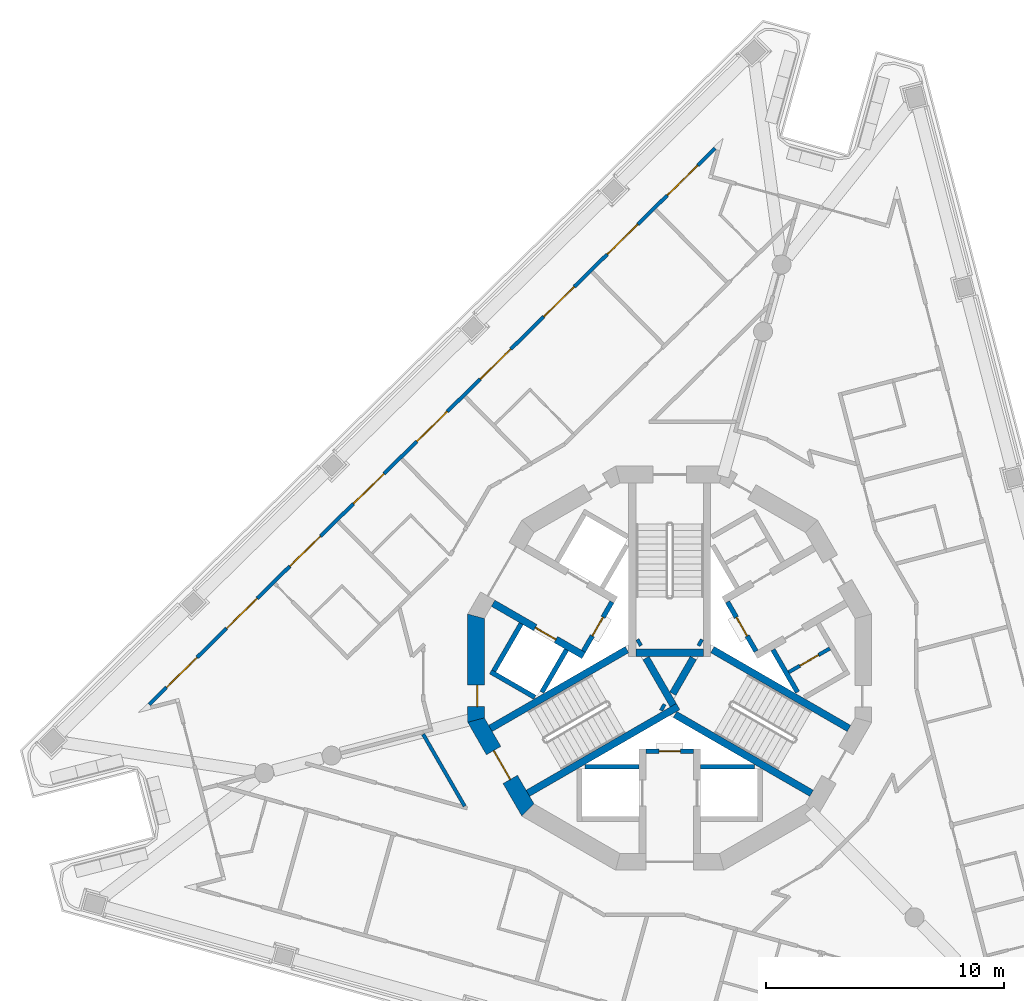
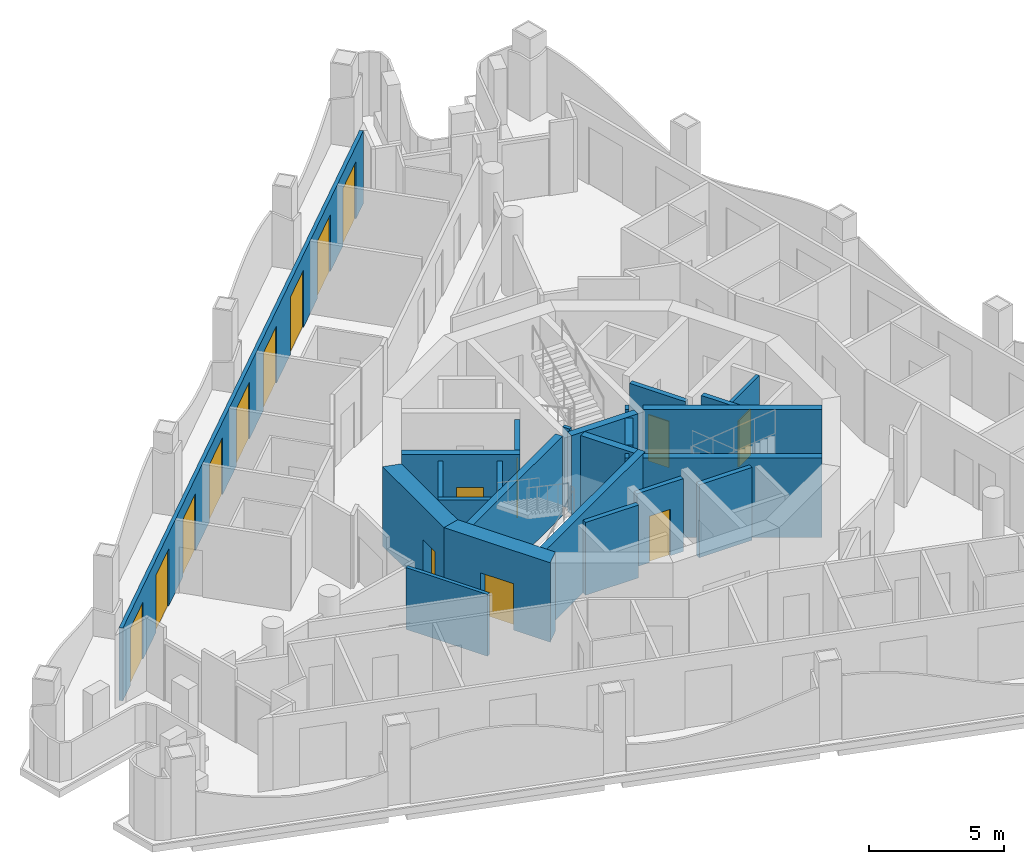
# One storey, part 4 of 14: 25 walls, 16 doors, 16 openings.
"""IFC4 building model written with IfcOpenShell, lengths in metres."""

from ifc_helpers import new_model, si_unit, direction, frame, frame_2d, origin, place, context, subcontext, project, spatial, polyline, rectangle, outline, extrude, material, layer, layer_set, type_object, element, fill, save


model = new_model("IFC4")

# Units and contexts
model_context = context("Model", 3, precision=1e-05, world=origin(), true_north=direction((0.0, 1.0)))
body_context = subcontext(model_context, "Body", "Model", "MODEL_VIEW")
ifc_project = project(units=[si_unit("LENGTHUNIT", "METRE"), si_unit("AREAUNIT", "SQUARE_METRE"), si_unit("VOLUMEUNIT", "CUBIC_METRE"), si_unit("PLANEANGLEUNIT", "RADIAN"), si_unit("MASSUNIT", "GRAM", prefix="KILO")], contexts=[model_context])

# Site, building, storey
site_placement = place(None, origin())
site = spatial("IfcSite", under=ifc_project, at=site_placement, CompositionType="ELEMENT")
building_placement = place(site_placement, origin())
building = spatial("IfcBuilding", under=site, at=building_placement, Name="Trine Commons Tower", CompositionType="ELEMENT")
storey_placement = place(building_placement, frame((0.0, 0.0, 249.300048828125)))
storey = spatial("IfcBuildingStorey", under=building, at=storey_placement, Name="L65", CompositionType="ELEMENT", Elevation=249.300048828125)

# Wall, opening, door
ifc_material_1 = material(Name="Plasterboard partition on steel studs", Category="steel")
ifc_layer_1 = layer(ifc_material_1, 0.14990234375)
ifc_layer_set_1 = layer_set([ifc_layer_1], Name="Plasterboard partition on steel studs")
wall_type_1 = type_object("IfcWallType", Name="Core room partition 150 mm, EI 60", PredefinedType="PARTITIONING", material=ifc_layer_set_1)
wall_1_placement = place(storey_placement, frame((85.006103515625, 62.330078125, 0.0), z_axis=(0.0, 0.0, 1.0), x_axis=(0.866010750942, 0.50002537861, 0.0)))
wall_1 = element("IfcWall", 1, at=wall_1_placement, inside=storey, type_object=wall_type_1, Name="Core room partition L65", PredefinedType="PARTITIONING", context=body_context, shape_type="SweptSolid", body=[
    extrude(rectangle(XDim=2.0, YDim=0.14990234375, at=frame_2d((1.0, 0.0))), origin(), (0.0, 0.0, 1.0), 3.300048828125),
])
opening_1_placement = place(wall_1_placement, frame((0.549560546875, 0.0, 0.0)))
opening_1 = element("IfcOpeningElement", 2, at=opening_1_placement, cuts=wall_1, Name="Opening K15.13", PredefinedType="OPENING", context=body_context, shape_type="SweptSolid", body=[
    extrude(rectangle(XDim=0.89990234375, YDim=2.10009765625, at=frame_2d((0.449951171875, 1.050048828125))), frame((0.0, 0.0849609375, 0.0), z_axis=(0.0, -1.0, 0.0), x_axis=(1.0, 0.0, 0.0)), (0.0, 0.0, 1.0), 0.169921875),
])
ifc_material_2 = material(Name="Steel door leaf, fire-rated", Category="steel")
door_type_1 = type_object("IfcDoorType", Name="Core room door, single leaf 900 x 2100, FD30S", OperationType="SINGLE_SWING_LEFT", PredefinedType="DOOR", material=ifc_material_2)
door_1_placement = place(opening_1_placement, frame((0.89990234375, 0.0, 0.0), z_axis=(0.0, 0.0, 1.0), x_axis=(-1.0, 0.0, 0.0)))
door_1 = element("IfcDoor", 3, at=door_1_placement, inside=storey, type_object=door_type_1, Name="Door to Print room L65", OperationType="SINGLE_SWING_LEFT", OverallHeight=2.10009765625, OverallWidth=0.89990234375, PredefinedType="DOOR", context=body_context, shape_type="SweptSolid", body=[
    extrude(rectangle(XDim=0.89990234375, YDim=2.10009765625, at=frame_2d((0.449951171875, 1.050048828125))), frame((0.0, 0.02490234375, 0.0), z_axis=(0.0, -1.0, 0.0), x_axis=(1.0, 0.0, 0.0)), (0.0, 0.0, 1.0), 0.050048828125),
])
fill(opening_1, door_1)

# Wall, openings, doors
ifc_material_3 = material(Name="Aluminium-framed insulated wall panel", Category="aluminium")
ifc_layer_2 = layer(ifc_material_3, 0.14990234375)
ifc_layer_set_2 = layer_set([ifc_layer_2], Name="Aluminium-framed insulated wall panel")
wall_type_2 = type_object("IfcWallType", Name="Glazed frame wall 150, EI 60", PredefinedType="SOLIDWALL", material=ifc_layer_set_2)
wall_2_placement = place(storey_placement, frame((57.98974609375, 60.867431640625, 0.0), z_axis=(0.0, 0.0, 1.0), x_axis=(0.713254682671, 0.700904956216, 0.0)))
wall_2 = element("IfcWall", 4, at=wall_2_placement, inside=storey, type_object=wall_type_2, Name="Glazed frame wall F1", PredefinedType="SOLIDWALL", context=body_context, shape_type="SweptSolid", body=[
    extrude(outline(polyline([(0.1494140625, 0.074951171875), (0.1494140625, -0.074951171875), (33.536865234375, -0.074951171875), (33.536865234375, 0.074951171875), (0.1494140625, 0.074951171875)])), origin(), (0.0, 0.0, 1.0), 3.300048828125),
])
opening_2_placement = place(wall_2_placement, frame((1.17138671875, 0.0, 0.0)))
opening_2 = element("IfcOpeningElement", 5, at=opening_2_placement, cuts=wall_2, Name="Opening BD-7F1-01", PredefinedType="OPENING", context=body_context, shape_type="SweptSolid", body=[
    extrude(rectangle(XDim=1.800048828125, YDim=2.60009765625, at=frame_2d((0.89990234375, 1.300048828125))), frame((0.0, 0.0849609375, 0.0), z_axis=(0.0, -1.0, 0.0), x_axis=(1.0, 0.0, 0.0)), (0.0, 0.0, 1.0), 0.169921875),
])
opening_3_placement = place(wall_2_placement, frame((4.71435546875, 0.0, 0.0)))
opening_3 = element("IfcOpeningElement", 6, at=opening_3_placement, cuts=wall_2, Name="Opening BD-7F1-02", PredefinedType="OPENING", context=body_context, shape_type="SweptSolid", body=[
    extrude(rectangle(XDim=1.800048828125, YDim=2.60009765625, at=frame_2d((0.89990234375, 1.300048828125))), frame((0.0, 0.0849609375, 0.0), z_axis=(0.0, -1.0, 0.0), x_axis=(1.0, 0.0, 0.0)), (0.0, 0.0, 1.0), 0.169921875),
])
opening_4_placement = place(wall_2_placement, frame((8.457275390625, 0.0, 0.0)))
opening_4 = element("IfcOpeningElement", 7, at=opening_4_placement, cuts=wall_2, Name="Opening BD-7F1-03", PredefinedType="OPENING", context=body_context, shape_type="SweptSolid", body=[
    extrude(rectangle(XDim=1.800048828125, YDim=2.60009765625, at=frame_2d((0.89990234375, 1.300048828125))), frame((0.0, 0.0849609375, 0.0), z_axis=(0.0, -1.0, 0.0), x_axis=(1.0, 0.0, 0.0)), (0.0, 0.0, 1.0), 0.169921875),
])
opening_5_placement = place(wall_2_placement, frame((12.2001953125, 0.0, 0.0)))
opening_5 = element("IfcOpeningElement", 8, at=opening_5_placement, cuts=wall_2, Name="Opening BD-7F1-04", PredefinedType="OPENING", context=body_context, shape_type="SweptSolid", body=[
    extrude(rectangle(XDim=1.800048828125, YDim=2.60009765625, at=frame_2d((0.89990234375, 1.300048828125))), frame((0.0, 0.0849609375, 0.0), z_axis=(0.0, -1.0, 0.0), x_axis=(1.0, 0.0, 0.0)), (0.0, 0.0, 1.0), 0.169921875),
])
opening_6_placement = place(wall_2_placement, frame((15.943115234375, 0.0, 0.0)))
opening_6 = element("IfcOpeningElement", 9, at=opening_6_placement, cuts=wall_2, Name="Opening BD-7F1-05", PredefinedType="OPENING", context=body_context, shape_type="SweptSolid", body=[
    extrude(rectangle(XDim=1.800048828125, YDim=2.60009765625, at=frame_2d((0.89990234375, 1.300048828125))), frame((0.0, 0.0849609375, 0.0), z_axis=(0.0, -1.0, 0.0), x_axis=(1.0, 0.0, 0.0)), (0.0, 0.0, 1.0), 0.169921875),
])
opening_7_placement = place(wall_2_placement, frame((19.68603515625, 0.0, 0.0)))
opening_7 = element("IfcOpeningElement", 10, at=opening_7_placement, cuts=wall_2, Name="Opening BD-7F1-06", PredefinedType="OPENING", context=body_context, shape_type="SweptSolid", body=[
    extrude(rectangle(XDim=1.800048828125, YDim=2.60009765625, at=frame_2d((0.89990234375, 1.300048828125))), frame((0.0, 0.0849609375, 0.0), z_axis=(0.0, -1.0, 0.0), x_axis=(1.0, 0.0, 0.0)), (0.0, 0.0, 1.0), 0.169921875),
])
opening_8_placement = place(wall_2_placement, frame((23.428955078125, 0.0, 0.0)))
opening_8 = element("IfcOpeningElement", 11, at=opening_8_placement, cuts=wall_2, Name="Opening BD-7F1-07", PredefinedType="OPENING", context=body_context, shape_type="SweptSolid", body=[
    extrude(rectangle(XDim=1.800048828125, YDim=2.60009765625, at=frame_2d((0.89990234375, 1.300048828125))), frame((0.0, 0.0849609375, 0.0), z_axis=(0.0, -1.0, 0.0), x_axis=(1.0, 0.0, 0.0)), (0.0, 0.0, 1.0), 0.169921875),
])
opening_9_placement = place(wall_2_placement, frame((27.171875, 0.0, 0.0)))
opening_9 = element("IfcOpeningElement", 12, at=opening_9_placement, cuts=wall_2, Name="Opening BD-7F1-08", PredefinedType="OPENING", context=body_context, shape_type="SweptSolid", body=[
    extrude(rectangle(XDim=1.800048828125, YDim=2.60009765625, at=frame_2d((0.89990234375, 1.300048828125))), frame((0.0, 0.0849609375, 0.0), z_axis=(0.0, -1.0, 0.0), x_axis=(1.0, 0.0, 0.0)), (0.0, 0.0, 1.0), 0.169921875),
])
opening_10_placement = place(wall_2_placement, frame((30.714599609375, 0.0, 0.0)))
opening_10 = element("IfcOpeningElement", 13, at=opening_10_placement, cuts=wall_2, Name="Opening BD-7F1-09", PredefinedType="OPENING", context=body_context, shape_type="SweptSolid", body=[
    extrude(rectangle(XDim=1.800048828125, YDim=2.60009765625, at=frame_2d((0.89990234375, 1.300048828125))), frame((0.0, 0.0849609375, 0.0), z_axis=(0.0, -1.0, 0.0), x_axis=(1.0, 0.0, 0.0)), (0.0, 0.0, 1.0), 0.169921875),
])
ifc_material_4 = material(Name="Anodised aluminium frame with double glazing", Category="aluminium")
door_type_2 = type_object("IfcDoorType", Name="Sliding loggia door 1800x2600", OperationType="SLIDING_TO_LEFT", PredefinedType="DOOR", material=ifc_material_4)
door_2_placement = place(opening_2_placement, origin())
door_2 = element("IfcDoor", 14, at=door_2_placement, inside=storey, type_object=door_type_2, Name="Loggia door F1 1", OperationType="SLIDING_TO_LEFT", OverallHeight=2.60009765625, OverallWidth=1.800048828125, PredefinedType="DOOR", context=body_context, shape_type="SweptSolid", body=[
    extrude(rectangle(XDim=1.800048828125, YDim=2.60009765625, at=frame_2d((0.89990234375, 1.300048828125))), frame((0.0, 0.02490234375, 0.0), z_axis=(0.0, -1.0, 0.0), x_axis=(1.0, 0.0, 0.0)), (0.0, 0.0, 1.0), 0.050048828125),
])
fill(opening_2, door_2)
door_3_placement = place(opening_3_placement, origin())
door_3 = element("IfcDoor", 15, at=door_3_placement, inside=storey, type_object=door_type_2, Name="Loggia door F1 2", OperationType="SLIDING_TO_LEFT", OverallHeight=2.60009765625, OverallWidth=1.800048828125, PredefinedType="DOOR", context=body_context, shape_type="SweptSolid", body=[
    extrude(rectangle(XDim=1.800048828125, YDim=2.60009765625, at=frame_2d((0.89990234375, 1.300048828125))), frame((0.0, 0.02490234375, 0.0), z_axis=(0.0, -1.0, 0.0), x_axis=(1.0, 0.0, 0.0)), (0.0, 0.0, 1.0), 0.050048828125),
])
fill(opening_3, door_3)
door_4_placement = place(opening_4_placement, origin())
door_4 = element("IfcDoor", 16, at=door_4_placement, inside=storey, type_object=door_type_2, Name="Loggia door F1 3", OperationType="SLIDING_TO_LEFT", OverallHeight=2.60009765625, OverallWidth=1.800048828125, PredefinedType="DOOR", context=body_context, shape_type="SweptSolid", body=[
    extrude(rectangle(XDim=1.800048828125, YDim=2.60009765625, at=frame_2d((0.89990234375, 1.300048828125))), frame((0.0, 0.02490234375, 0.0), z_axis=(0.0, -1.0, 0.0), x_axis=(1.0, 0.0, 0.0)), (0.0, 0.0, 1.0), 0.050048828125),
])
fill(opening_4, door_4)
door_5_placement = place(opening_5_placement, origin())
door_5 = element("IfcDoor", 17, at=door_5_placement, inside=storey, type_object=door_type_2, Name="Loggia door F1 4", OperationType="SLIDING_TO_LEFT", OverallHeight=2.60009765625, OverallWidth=1.800048828125, PredefinedType="DOOR", context=body_context, shape_type="SweptSolid", body=[
    extrude(rectangle(XDim=1.800048828125, YDim=2.60009765625, at=frame_2d((0.89990234375, 1.300048828125))), frame((0.0, 0.02490234375, 0.0), z_axis=(0.0, -1.0, 0.0), x_axis=(1.0, 0.0, 0.0)), (0.0, 0.0, 1.0), 0.050048828125),
])
fill(opening_5, door_5)
door_6_placement = place(opening_6_placement, origin())
door_6 = element("IfcDoor", 18, at=door_6_placement, inside=storey, type_object=door_type_2, Name="Loggia door F1 5", OperationType="SLIDING_TO_LEFT", OverallHeight=2.60009765625, OverallWidth=1.800048828125, PredefinedType="DOOR", context=body_context, shape_type="SweptSolid", body=[
    extrude(rectangle(XDim=1.800048828125, YDim=2.60009765625, at=frame_2d((0.89990234375, 1.300048828125))), frame((0.0, 0.02490234375, 0.0), z_axis=(0.0, -1.0, 0.0), x_axis=(1.0, 0.0, 0.0)), (0.0, 0.0, 1.0), 0.050048828125),
])
fill(opening_6, door_6)
door_7_placement = place(opening_7_placement, origin())
door_7 = element("IfcDoor", 19, at=door_7_placement, inside=storey, type_object=door_type_2, Name="Loggia door F1 6", OperationType="SLIDING_TO_LEFT", OverallHeight=2.60009765625, OverallWidth=1.800048828125, PredefinedType="DOOR", context=body_context, shape_type="SweptSolid", body=[
    extrude(rectangle(XDim=1.800048828125, YDim=2.60009765625, at=frame_2d((0.89990234375, 1.300048828125))), frame((0.0, 0.02490234375, 0.0), z_axis=(0.0, -1.0, 0.0), x_axis=(1.0, 0.0, 0.0)), (0.0, 0.0, 1.0), 0.050048828125),
])
fill(opening_7, door_7)
door_8_placement = place(opening_8_placement, origin())
door_8 = element("IfcDoor", 20, at=door_8_placement, inside=storey, type_object=door_type_2, Name="Loggia door F1 7", OperationType="SLIDING_TO_LEFT", OverallHeight=2.60009765625, OverallWidth=1.800048828125, PredefinedType="DOOR", context=body_context, shape_type="SweptSolid", body=[
    extrude(rectangle(XDim=1.800048828125, YDim=2.60009765625, at=frame_2d((0.89990234375, 1.300048828125))), frame((0.0, 0.02490234375, 0.0), z_axis=(0.0, -1.0, 0.0), x_axis=(1.0, 0.0, 0.0)), (0.0, 0.0, 1.0), 0.050048828125),
])
fill(opening_8, door_8)
door_9_placement = place(opening_9_placement, origin())
door_9 = element("IfcDoor", 21, at=door_9_placement, inside=storey, type_object=door_type_2, Name="Loggia door F1 8", OperationType="SLIDING_TO_LEFT", OverallHeight=2.60009765625, OverallWidth=1.800048828125, PredefinedType="DOOR", context=body_context, shape_type="SweptSolid", body=[
    extrude(rectangle(XDim=1.800048828125, YDim=2.60009765625, at=frame_2d((0.89990234375, 1.300048828125))), frame((0.0, 0.02490234375, 0.0), z_axis=(0.0, -1.0, 0.0), x_axis=(1.0, 0.0, 0.0)), (0.0, 0.0, 1.0), 0.050048828125),
])
fill(opening_9, door_9)
door_10_placement = place(opening_10_placement, origin())
door_10 = element("IfcDoor", 22, at=door_10_placement, inside=storey, type_object=door_type_2, Name="Loggia door F1 9", OperationType="SLIDING_TO_LEFT", OverallHeight=2.60009765625, OverallWidth=1.800048828125, PredefinedType="DOOR", context=body_context, shape_type="SweptSolid", body=[
    extrude(rectangle(XDim=1.800048828125, YDim=2.60009765625, at=frame_2d((0.89990234375, 1.300048828125))), frame((0.0, 0.02490234375, 0.0), z_axis=(0.0, -1.0, 0.0), x_axis=(1.0, 0.0, 0.0)), (0.0, 0.0, 1.0), 0.050048828125),
])
fill(opening_10, door_10)

# Wall, opening, door
ifc_material_5 = material(Name="Fire-rated gypsum shaft wall system")
ifc_layer_3 = layer(ifc_material_5, 0.199951171875)
ifc_layer_set_3 = layer_set([ifc_layer_3], Name="Fire-rated gypsum shaft wall system")
wall_type_3 = type_object("IfcWallType", Name="Lobby end wall 200 mm, EI 120", PredefinedType="PARTITIONING", material=ifc_layer_set_3)
wall_3_placement = place(storey_placement, frame((77.569091796875, 65.2890625, 0.0), z_axis=(0.0, 0.0, 1.0), x_axis=(-0.50012165622, -0.865955154139, 0.0)))
wall_3 = element("IfcWall", 23, at=wall_3_placement, inside=storey, type_object=wall_type_3, Name="Lobby end wall L65", PredefinedType="PARTITIONING", context=body_context, shape_type="SweptSolid", body=[
    extrude(rectangle(XDim=2.39990234375, YDim=0.199951171875, at=frame_2d((1.199951171875, 0.0))), origin(), (0.0, 0.0, 1.0), 3.300048828125),
])
opening_11_placement = place(wall_3_placement, frame((0.749755859375, 0.0, 0.0)))
opening_11 = element("IfcOpeningElement", 24, at=opening_11_placement, cuts=wall_3, Name="Opening K15.07", PredefinedType="OPENING", context=body_context, shape_type="SweptSolid", body=[
    extrude(rectangle(XDim=0.89990234375, YDim=2.10009765625, at=frame_2d((0.449951171875, 1.050048828125))), frame((0.0, 0.10986328125, 0.0), z_axis=(0.0, -1.0, 0.0), x_axis=(1.0, 0.0, 0.0)), (0.0, 0.0, 1.0), 0.219970703125),
])
door_type_3 = type_object("IfcDoorType", Name="Riser access door, single leaf 900 x 2100, FD60", OperationType="SINGLE_SWING_LEFT", PredefinedType="DOOR", material=ifc_material_2)
door_11_placement = place(opening_11_placement, frame((0.89990234375, 0.0, 0.0), z_axis=(0.0, 0.0, 1.0), x_axis=(-1.0, 0.0, 0.0)))
door_11 = element("IfcDoor", 25, at=door_11_placement, inside=storey, type_object=door_type_3, Name="Riser door, Mechanical riser L65", OperationType="SINGLE_SWING_RIGHT", OverallHeight=2.10009765625, OverallWidth=0.89990234375, PredefinedType="DOOR", context=body_context, shape_type="SweptSolid", body=[
    extrude(rectangle(XDim=0.89990234375, YDim=2.10009765625, at=frame_2d((0.449951171875, 1.050048828125))), frame((0.0, 0.02490234375, 0.0), z_axis=(0.0, -1.0, 0.0), x_axis=(1.0, 0.0, 0.0)), (0.0, 0.0, 1.0), 0.050048828125),
])
fill(opening_11, door_11)

wall_4_placement = place(storey_placement, frame((79.0, 59.0, 0.0), z_axis=(0.0, 0.0, 1.0), x_axis=(1.0, 0.0, 0.0)))
wall_4 = element("IfcWall", 26, at=wall_4_placement, inside=storey, type_object=wall_type_3, Name="Lobby end wall L65", PredefinedType="PARTITIONING", context=body_context, shape_type="SweptSolid", body=[
    extrude(rectangle(XDim=2.0, YDim=0.199951171875, at=frame_2d((1.0, 0.0))), origin(), (0.0, 0.0, 1.0), 3.300048828125),
])
opening_12_placement = place(wall_4_placement, frame((0.550048828125, 0.0, 0.0)))
opening_12 = element("IfcOpeningElement", 27, at=opening_12_placement, cuts=wall_4, Name="Opening K15.09", PredefinedType="OPENING", context=body_context, shape_type="SweptSolid", body=[
    extrude(rectangle(XDim=0.89990234375, YDim=2.10009765625, at=frame_2d((0.449951171875, 1.050048828125))), frame((0.0, 0.10986328125, 0.0), z_axis=(0.0, -1.0, 0.0), x_axis=(1.0, 0.0, 0.0)), (0.0, 0.0, 1.0), 0.219970703125),
])
door_12_placement = place(opening_12_placement, frame((0.89990234375, 0.0, 0.0), z_axis=(0.0, 0.0, 1.0), x_axis=(-1.0, 0.0, 0.0)))
door_12 = element("IfcDoor", 28, at=door_12_placement, inside=storey, type_object=door_type_3, Name="Riser door, Communications riser L65", OperationType="SINGLE_SWING_RIGHT", OverallHeight=2.10009765625, OverallWidth=0.89990234375, PredefinedType="DOOR", context=body_context, shape_type="SweptSolid", body=[
    extrude(rectangle(XDim=0.89990234375, YDim=2.10009765625, at=frame_2d((0.449951171875, 1.050048828125))), frame((0.0, 0.02490234375, 0.0), z_axis=(0.0, -1.0, 0.0), x_axis=(1.0, 0.0, 0.0)), (0.0, 0.0, 1.0), 0.050048828125),
])
fill(opening_12, door_12)

wall_5_placement = place(storey_placement, frame((83.631103515625, 63.2109375, 0.0), z_axis=(0.0, 0.0, 1.0), x_axis=(-0.50012165622, 0.865955154139, 0.0)))
wall_5 = element("IfcWall", 29, at=wall_5_placement, inside=storey, type_object=wall_type_3, Name="Lobby end wall L65", PredefinedType="PARTITIONING", context=body_context, shape_type="SweptSolid", body=[
    extrude(rectangle(XDim=2.39990234375, YDim=0.199951171875, at=frame_2d((1.199951171875, 0.0))), origin(), (0.0, 0.0, 1.0), 3.300048828125),
])
opening_13_placement = place(wall_5_placement, frame((0.749755859375, 0.0, 0.0)))
opening_13 = element("IfcOpeningElement", 30, at=opening_13_placement, cuts=wall_5, Name="Opening K15.05", PredefinedType="OPENING", context=body_context, shape_type="SweptSolid", body=[
    extrude(rectangle(XDim=0.89990234375, YDim=2.10009765625, at=frame_2d((0.449951171875, 1.050048828125))), frame((0.0, 0.10986328125, 0.0), z_axis=(0.0, -1.0, 0.0), x_axis=(1.0, 0.0, 0.0)), (0.0, 0.0, 1.0), 0.219970703125),
])
door_13_placement = place(opening_13_placement, frame((0.89990234375, 0.0, 0.0), z_axis=(0.0, 0.0, 1.0), x_axis=(-1.0, 0.0, 0.0)))
door_13 = element("IfcDoor", 31, at=door_13_placement, inside=storey, type_object=door_type_3, Name="Riser door, Electrical riser L65", OperationType="SINGLE_SWING_LEFT", OverallHeight=2.10009765625, OverallWidth=0.89990234375, PredefinedType="DOOR", context=body_context, shape_type="SweptSolid", body=[
    extrude(rectangle(XDim=0.89990234375, YDim=2.10009765625, at=frame_2d((0.449951171875, 1.050048828125))), frame((0.0, 0.02490234375, 0.0), z_axis=(0.0, -1.0, 0.0), x_axis=(1.0, 0.0, 0.0)), (0.0, 0.0, 1.0), 0.050048828125),
])
fill(opening_13, door_13)

ifc_material_6 = material(Name="Concrete C50/60", Category="concrete")
ifc_layer_4 = layer(ifc_material_6, 0.300048828125)
ifc_layer_set_4 = layer_set([ifc_layer_4], Name="Concrete C50/60")
wall_type_4 = type_object("IfcWallType", Name="RC shear wall 300 mm, C50/60", PredefinedType="SHEAR", material=ifc_layer_set_4)
wall_6_placement = place(storey_placement, frame((76.381103515625, 63.031005859375, 0.0), z_axis=(0.0, 0.0, 1.0), x_axis=(-0.866059941101, 0.499940174841, 0.0)))
wall_6 = element("IfcWall", 32, at=wall_6_placement, inside=storey, type_object=wall_type_4, Name="Core cross wall SWC-01 L65", PredefinedType="SHEAR", context=body_context, shape_type="SweptSolid", body=[
    extrude(rectangle(XDim=4.400390625, YDim=0.300048828125, at=frame_2d((2.2001953125, 0.0))), origin(), (0.0, 0.0, 1.0), 3.599853515625),
])
opening_14_placement = place(wall_6_placement, frame((1.350341796875, 0.0, 0.0)))
opening_14 = element("IfcOpeningElement", 33, at=opening_14_placement, cuts=wall_6, Name="Opening LD7", PredefinedType="OPENING", context=body_context, shape_type="SweptSolid", body=[
    extrude(rectangle(XDim=1.0, YDim=2.10009765625, at=frame_2d((0.5, 1.050048828125))), frame((0.0, 0.159912109375, 0.0), z_axis=(0.0, -1.0, 0.0), x_axis=(1.0, 0.0, 0.0)), (0.0, 0.0, 1.0), 0.320068359375),
])
ifc_material_7 = material(Name="Stainless steel sliding door leaves", Category="steel")
door_type_4 = type_object("IfcDoorType", Name="Lift landing door, centre-opening sliding 1000 x 2100, FD90", OperationType="DOUBLE_DOOR_SLIDING", PredefinedType="DOOR", material=ifc_material_7)
door_14_placement = place(opening_14_placement, origin())
door_14 = element("IfcDoor", 34, at=door_14_placement, inside=storey, type_object=door_type_4, Name="Lift landing door HR3 L65", OperationType="DOUBLE_DOOR_SLIDING", OverallHeight=2.10009765625, OverallWidth=1.0, PredefinedType="DOOR", context=body_context, shape_type="SweptSolid", body=[
    extrude(rectangle(XDim=1.0, YDim=2.10009765625, at=frame_2d((0.5, 1.050048828125))), frame((0.0, 0.02490234375, 0.0), z_axis=(0.0, -1.0, 0.0), x_axis=(1.0, 0.0, 0.0)), (0.0, 0.0, 1.0), 0.050048828125),
])
fill(opening_14, door_14)

# Walls
wall_7_placement = place(storey_placement, frame((78.199951171875, 63.280029296875, 0.0), z_axis=(0.0, 0.0, 1.0), x_axis=(-0.866009627307, -0.500027324665, 0.0)))
element("IfcWall", 35, at=wall_7_placement, inside=storey, type_object=wall_type_4, Name="Core cross wall SWC-07 L65", PredefinedType="SHEAR", context=body_context, shape_type="SweptSolid", body=[
    extrude(rectangle(XDim=6.631591796875, YDim=0.300048828125, at=frame_2d((3.31591796875, 0.0))), origin(), (0.0, 0.0, 1.0), 3.599853515625),
])
wall_8_placement = place(storey_placement, frame((78.779052734375, 63.614013671875, 0.0), z_axis=(0.0, 0.0, 1.0), x_axis=(-0.867737973955, -0.497021939713, 0.0)))
element("IfcWall", 36, at=wall_8_placement, inside=storey, type_object=wall_type_4, Name="Core cross wall SWC-09 L65", PredefinedType="SHEAR", context=body_context, shape_type="SweptSolid", body=[
    extrude(rectangle(XDim=0.14892578125, YDim=0.300048828125, at=frame_2d((0.074462890625, 0.0))), origin(), (0.0, 0.0, 1.0), 3.599853515625),
])
wall_9_placement = place(storey_placement, frame((79.0029296875, 62.926025390625, 0.0), z_axis=(0.0, 0.0, 1.0), x_axis=(0.499965247104, -0.866045467449, 0.0)))
element("IfcWall", 37, at=wall_9_placement, inside=storey, type_object=wall_type_4, Name="Core cross wall SWC-10 L65", PredefinedType="SHEAR", context=body_context, shape_type="SweptSolid", body=[
    extrude(rectangle(XDim=2.292236328125, YDim=0.300048828125, at=frame_2d((1.14599609375, 0.0))), origin(), (0.0, 0.0, 1.0), 3.599853515625),
])
wall_10_placement = place(storey_placement, frame((79.64599609375, 60.885986328125, 0.0), z_axis=(0.0, 0.0, 1.0), x_axis=(0.867331893649, -0.497730234424, 0.0)))
element("IfcWall", 38, at=wall_10_placement, inside=storey, type_object=wall_type_4, Name="Core cross wall SWC-11 L65", PredefinedType="SHEAR", context=body_context, shape_type="SweptSolid", body=[
    extrude(rectangle(XDim=0.148681640625, YDim=0.300048828125, at=frame_2d((0.07421875, 0.0))), origin(), (0.0, 0.0, 1.0), 3.599853515625),
])
wall_11_placement = place(storey_placement, frame((80.1298828125, 61.424072265625, 0.0), z_axis=(0.0, 0.0, 1.0), x_axis=(0.500014901547, 0.866016800201, 0.0)))
element("IfcWall", 39, at=wall_11_placement, inside=storey, type_object=wall_type_4, Name="Core cross wall SWC-12 L65", PredefinedType="SHEAR", context=body_context, shape_type="SweptSolid", body=[
    extrude(rectangle(XDim=1.734375, YDim=0.300048828125, at=frame_2d((0.8671875, 0.0))), origin(), (0.0, 0.0, 1.0), 3.599853515625),
])
wall_12_placement = place(storey_placement, frame((80.22509765625, 60.552001953125, 0.0), z_axis=(0.0, 0.0, 1.0), x_axis=(0.866009627307, -0.500027324665, 0.0)))
element("IfcWall", 40, at=wall_12_placement, inside=storey, type_object=wall_type_4, Name="Core cross wall SWC-13 L65", PredefinedType="SHEAR", context=body_context, shape_type="SweptSolid", body=[
    extrude(rectangle(XDim=6.631591796875, YDim=0.300048828125, at=frame_2d((3.31591796875, 0.0))), origin(), (0.0, 0.0, 1.0), 3.599853515625),
])
wall_13_placement = place(storey_placement, frame((80.35400390625, 60.885986328125, 0.0), z_axis=(0.0, 0.0, 1.0), x_axis=(-0.866032430508, -0.49998782916, 0.0)))
element("IfcWall", 41, at=wall_13_placement, inside=storey, type_object=wall_type_4, Name="Core cross wall SWC-14 L65", PredefinedType="SHEAR", context=body_context, shape_type="SweptSolid", body=[
    extrude(rectangle(XDim=7.300048828125, YDim=0.300048828125, at=frame_2d((3.64990234375, 0.0))), origin(), (0.0, 0.0, 1.0), 3.599853515625),
])
wall_14_placement = place(storey_placement, frame((81.220947265625, 63.614013671875, 0.0), z_axis=(0.0, 0.0, 1.0), x_axis=(0.867737973955, -0.497021939713, 0.0)))
element("IfcWall", 42, at=wall_14_placement, inside=storey, type_object=wall_type_4, Name="Core cross wall SWC-15 L65", PredefinedType="SHEAR", context=body_context, shape_type="SweptSolid", body=[
    extrude(rectangle(XDim=0.14892578125, YDim=0.300048828125, at=frame_2d((0.074462890625, 0.0))), origin(), (0.0, 0.0, 1.0), 3.599853515625),
])
wall_15_placement = place(storey_placement, frame((81.425048828125, 63.15087890625, 0.0), z_axis=(0.0, 0.0, 1.0), x_axis=(-1.0, 0.0, 0.0)))
element("IfcWall", 43, at=wall_15_placement, inside=storey, type_object=wall_type_4, Name="Core cross wall SWC-16 L65", PredefinedType="SHEAR", context=body_context, shape_type="SweptSolid", body=[
    extrude(rectangle(XDim=2.85009765625, YDim=0.300048828125, at=frame_2d((1.425048828125, 0.0))), origin(), (0.0, 0.0, 1.0), 3.599853515625),
])
wall_16_placement = place(storey_placement, frame((81.800048828125, 63.280029296875, 0.0), z_axis=(0.0, 0.0, 1.0), x_axis=(0.866009627307, -0.500027324665, 0.0)))
element("IfcWall", 44, at=wall_16_placement, inside=storey, type_object=wall_type_4, Name="Core cross wall SWC-18 L65", PredefinedType="SHEAR", context=body_context, shape_type="SweptSolid", body=[
    extrude(rectangle(XDim=6.631591796875, YDim=0.300048828125, at=frame_2d((3.31591796875, 0.0))), origin(), (0.0, 0.0, 1.0), 3.599853515625),
])

# Wall, opening, door
ifc_layer_5 = layer(ifc_material_6, 0.699951171875)
ifc_layer_set_5 = layer_set([ifc_layer_5], Name="Concrete C50/60")
wall_type_5 = type_object("IfcWallType", Name="RC shear wall 700 mm, C50/60", PredefinedType="SHEAR", material=ifc_layer_set_5)
wall_17_placement = place(storey_placement, frame((71.849853515625, 64.777587890625, 0.0), z_axis=(0.0, 0.0, 1.0), x_axis=(0.0, -1.0, 0.0)))
wall_17 = element("IfcWall", 45, at=wall_17_placement, inside=storey, type_object=wall_type_5, Name="Core wall CWG-07 L65", PredefinedType="SHEAR", context=body_context, shape_type="SweptSolid", body=[
    extrude(outline(polyline([(0.0, -0.35009765625), (4.55517578125, -0.35009765625), (4.36767578125, 0.35009765625), (0.1875, 0.35009765625), (0.0, -0.35009765625)])), origin(), (0.0, 0.0, 1.0), 3.599853515625),
])
opening_15_placement = place(wall_17_placement, frame((2.99169921875, 0.0, 0.0)))
opening_15 = element("IfcOpeningElement", 46, at=opening_15_placement, cuts=wall_17, Name="Opening K15.16", PredefinedType="OPENING", context=body_context, shape_type="SweptSolid", body=[
    extrude(rectangle(XDim=0.89990234375, YDim=2.10009765625, at=frame_2d((0.449951171875, 1.050048828125))), frame((0.0, 0.35986328125, 0.0), z_axis=(0.0, -1.0, 0.0), x_axis=(1.0, 0.0, 0.0)), (0.0, 0.0, 1.0), 0.719970703125),
])
door_15_placement = place(opening_15_placement, origin())
door_15 = element("IfcDoor", 47, at=door_15_placement, inside=storey, type_object=door_type_1, Name="Door to Pantry L65", OperationType="SINGLE_SWING_RIGHT", OverallHeight=2.10009765625, OverallWidth=0.89990234375, PredefinedType="DOOR", context=body_context, shape_type="SweptSolid", body=[
    extrude(rectangle(XDim=0.89990234375, YDim=2.10009765625, at=frame_2d((0.449951171875, 1.050048828125))), frame((0.0, 0.0751953125, 0.0), z_axis=(0.0, -1.0, 0.0), x_axis=(1.0, 0.0, 0.0)), (0.0, 0.0, 1.0), 0.050048828125),
])
fill(opening_15, door_15)

wall_18_placement = place(storey_placement, frame((71.802978515625, 60.3974609375, 0.0), z_axis=(0.0, 0.0, 1.0), x_axis=(0.499983800959, -0.866034756103, 0.0)))
wall_18 = element("IfcWall", 48, at=wall_18_placement, inside=storey, type_object=wall_type_5, Name="Core wall CWG-08 L65", PredefinedType="SHEAR", context=body_context, shape_type="SweptSolid", body=[
    extrude(outline(polyline([(0.0, -0.35009765625), (4.55517578125, -0.35009765625), (4.36767578125, 0.35009765625), (0.1875, 0.35009765625), (0.0, -0.35009765625)])), origin(), (0.0, 0.0, 1.0), 3.599853515625),
])
opening_16_placement = place(wall_18_placement, frame((1.577392578125, 0.0, 0.0)))
opening_16 = element("IfcOpeningElement", 49, at=opening_16_placement, cuts=wall_18, Name="Opening K15.02", PredefinedType="OPENING", context=body_context, shape_type="SweptSolid", body=[
    extrude(rectangle(XDim=1.39990234375, YDim=2.10009765625, at=frame_2d((0.699951171875, 1.050048828125))), frame((0.0, 0.35986328125, 0.0), z_axis=(0.0, -1.0, 0.0), x_axis=(1.0, 0.0, 0.0)), (0.0, 0.0, 1.0), 0.719970703125),
])
ifc_material_8 = material(Name="Steel door leaves, fire-rated", Category="steel")
door_type_5 = type_object("IfcDoorType", Name="Stair door, double leaf 1400 x 2100, FD90", OperationType="DOUBLE_DOOR_SINGLE_SWING", PredefinedType="DOOR", material=ifc_material_8)
door_16_placement = place(opening_16_placement, origin())
door_16 = element("IfcDoor", 50, at=door_16_placement, inside=storey, type_object=door_type_5, Name="Stair door to Exit stair ST2C L65", OperationType="DOUBLE_DOOR_SINGLE_SWING", OverallHeight=2.10009765625, OverallWidth=1.39990234375, PredefinedType="DOOR", context=body_context, shape_type="SweptSolid", body=[
    extrude(rectangle(XDim=1.39990234375, YDim=2.10009765625, at=frame_2d((0.699951171875, 1.050048828125))), frame((0.0, 0.02490234375, 0.0), z_axis=(0.0, -1.0, 0.0), x_axis=(1.0, 0.0, 0.0)), (0.0, 0.0, 1.0), 0.050048828125),
])
fill(opening_16, door_16)

# Walls
ifc_layer_6 = layer(ifc_material_5, 0.199951171875)
ifc_layer_set_6 = layer_set([ifc_layer_6], Name="Fire-rated gypsum shaft wall system")
wall_type_6 = type_object("IfcWallType", Name="Shaft wall 200 mm, EI 120", PredefinedType="PARTITIONING", material=ifc_layer_set_6)
wall_19_placement = place(storey_placement, frame((73.7509765625, 64.3759765625, 0.0), z_axis=(0.0, 0.0, 1.0), x_axis=(-0.500136062276, -0.86594683394, 0.0)))
element("IfcWall", 51, at=wall_19_placement, inside=storey, type_object=wall_type_6, Name="Shaft wall L65", PredefinedType="PARTITIONING", context=body_context, shape_type="SweptSolid", body=[
    extrude(rectangle(XDim=2.299072265625, YDim=0.199951171875, at=frame_2d((1.1494140625, 0.0))), origin(), (0.0, 0.0, 1.0), 3.300048828125),
])
wall_20_placement = place(storey_placement, frame((74.324951171875, 61.27392578125, 0.0), z_axis=(0.0, 0.0, 1.0), x_axis=(-0.866102336459, 0.499866725018, 0.0)))
element("IfcWall", 52, at=wall_20_placement, inside=storey, type_object=wall_type_6, Name="Shaft wall L65", PredefinedType="PARTITIONING", context=body_context, shape_type="SweptSolid", body=[
    extrude(rectangle(XDim=2.1484375, YDim=0.199951171875, at=frame_2d((1.07421875, 0.0))), origin(), (0.0, 0.0, 1.0), 3.300048828125),
])
wall_21_placement = place(storey_placement, frame((75.656005859375, 63.27587890625, 0.0), z_axis=(0.0, 0.0, 1.0), x_axis=(-0.500271688072, -0.86586848777, 0.0)))
element("IfcWall", 53, at=wall_21_placement, inside=storey, type_object=wall_type_6, Name="Shaft wall L65", PredefinedType="PARTITIONING", context=body_context, shape_type="SweptSolid", body=[
    extrude(rectangle(XDim=2.064697265625, YDim=0.199951171875, at=frame_2d((1.0322265625, 0.0))), origin(), (0.0, 0.0, 1.0), 3.300048828125),
])
for number, where, z_axis, x_axis, name in (
    (54, (78.699951171875, 58.35009765625, 0.0), (0.0, 0.0, 1.0), (-1.0, 0.0, 0.0), "Shaft wall L65"),
    (55, (81.300048828125, 58.35009765625, 0.0), (0.0, 0.0, 1.0), (1.0, 0.0, 0.0), "Shaft wall L65"),
):
    element("IfcWall", number, at=place(storey_placement, frame(where, z_axis=z_axis, x_axis=x_axis)), inside=storey, type_object=wall_type_6, Name=name, PredefinedType="PARTITIONING", context=body_context, shape_type="SweptSolid", body=[
        extrude(rectangle(XDim=2.264892578125, YDim=0.199951171875, at=frame_2d((1.13232421875, 0.0))), origin(), (0.0, 0.0, 1.0), 3.300048828125),
    ])
wall_22_placement = place(storey_placement, frame((84.343994140625, 63.27587890625, 0.0), z_axis=(0.0, 0.0, 1.0), x_axis=(0.500271688072, -0.86586848777, 0.0)))
element("IfcWall", 56, at=wall_22_placement, inside=storey, type_object=wall_type_6, Name="Shaft wall L65", PredefinedType="PARTITIONING", context=body_context, shape_type="SweptSolid", body=[
    extrude(rectangle(XDim=2.064697265625, YDim=0.199951171875, at=frame_2d((1.0322265625, 0.0))), origin(), (0.0, 0.0, 1.0), 3.300048828125),
])
ifc_material_9 = material(Name="Gypsum plasterboard on steel stud", Category="steel")
ifc_layer_7 = layer(ifc_material_9, 0.14990234375)
ifc_layer_set_7 = layer_set([ifc_layer_7], Name="Gypsum plasterboard on steel stud")
wall_type_7 = type_object("IfcWallType", Name="Unit and corridor wall 150 mm, EI 60", PredefinedType="PARTITIONING", material=ifc_layer_set_7)
wall_23_placement = place(storey_placement, frame((69.625, 59.719970703125, 0.0), z_axis=(0.0, 0.0, 1.0), x_axis=(0.50005889006, -0.865991400923, 0.0)))
element("IfcWall", 57, at=wall_23_placement, inside=storey, type_object=wall_type_7, Name="Partition 024", PredefinedType="PARTITIONING", context=body_context, shape_type="SweptSolid", body=[
    extrude(rectangle(XDim=3.49658203125, YDim=0.14990234375, at=frame_2d((1.748291015625, 0.0))), origin(), (0.0, 0.0, 1.0), 2.800048828125),
])

save(model, "model.ifc")
